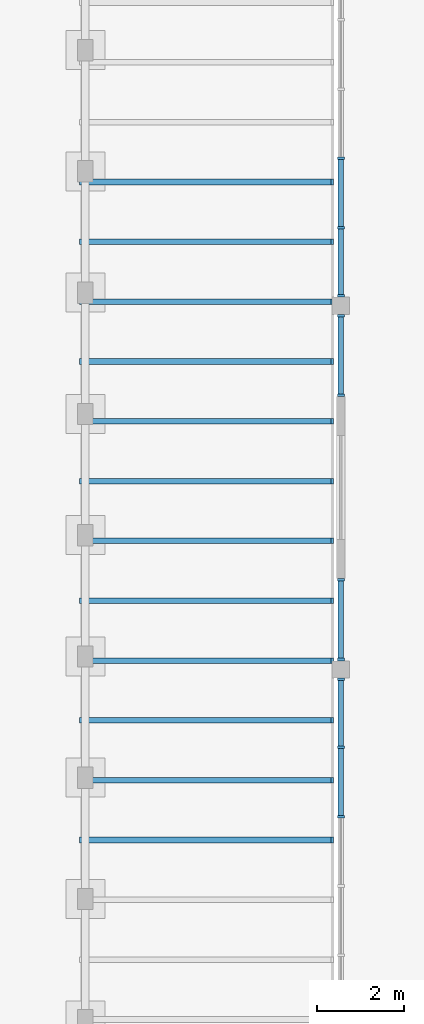
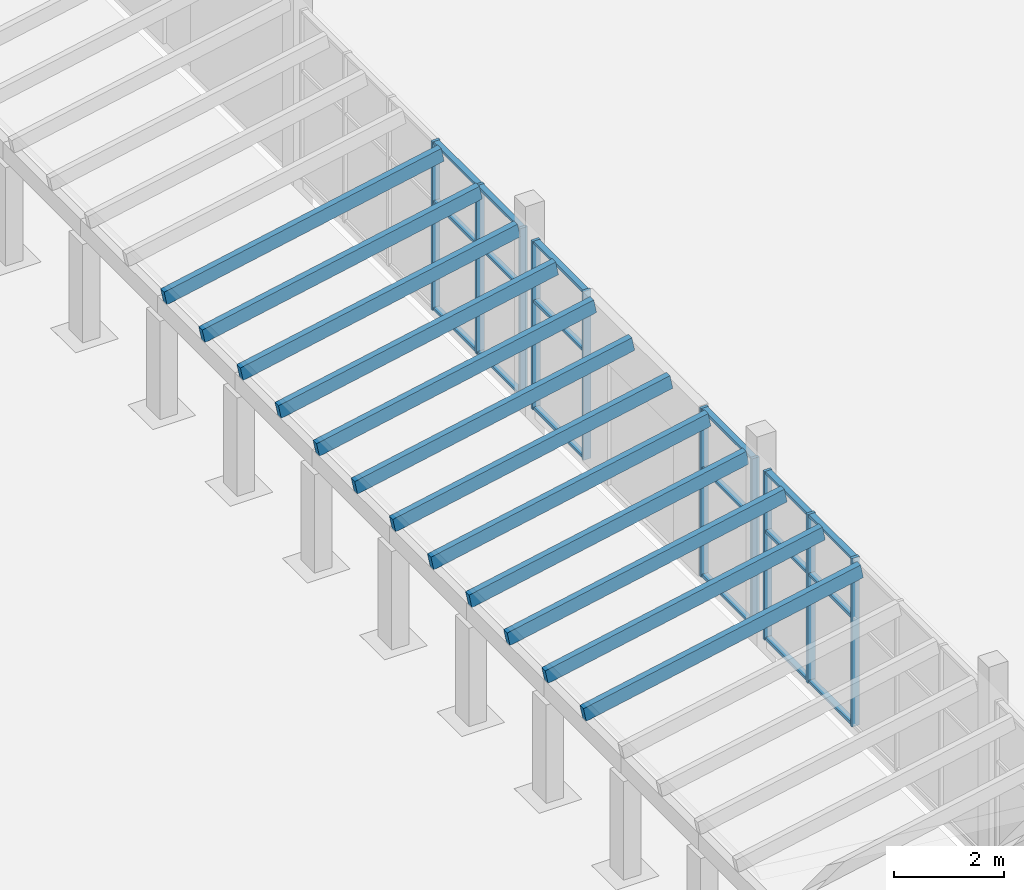
# One storey, part 16 of 60: 40 members, 4 elements without a shape of their own.
"""IFC4 building model written with IfcOpenShell, lengths in metres."""

from ifc_helpers import new_model, si_unit, direction, frame, origin, origin_2d, place, context, subcontext, project, spatial, rectangle, extrude, material, material_profile, profile_set, type_object, element, aggregate, save


model = new_model("IFC4")

# Units and contexts
model_context = context("Model", 3, precision=1e-05, world=origin(), true_north=direction((0.0, 1.0)))
body_context = subcontext(model_context, "Body", "Model", "MODEL_VIEW")
ifc_project = project(units=[si_unit("LENGTHUNIT", "METRE"), si_unit("AREAUNIT", "SQUARE_METRE"), si_unit("VOLUMEUNIT", "CUBIC_METRE"), si_unit("PLANEANGLEUNIT", "RADIAN"), si_unit("MASSUNIT", "GRAM", prefix="KILO")], contexts=[model_context])

# Site, building, storey
site_placement = place(None, origin())
site = spatial("IfcSite", under=ifc_project, at=site_placement, CompositionType="ELEMENT")
building_placement = place(site_placement, origin())
building = spatial("IfcBuilding", under=site, at=building_placement, Name="Fescue Hill Polytechnic", CompositionType="ELEMENT")
storey_placement = place(building_placement, frame((0.0, 0.0, 4.5)))
storey = spatial("IfcBuildingStorey", under=building, at=storey_placement, Name="L01", CompositionType="ELEMENT", Elevation=4.5)

# Curtain wall, members
ifc_material_1 = material(Name="Glass", Category="glass")
curtain_wall_type = type_object("IfcCurtainWallType", Name="Curtain wall structural glazing", PredefinedType="NOTDEFINED", material=ifc_material_1)
curtain_wall_1_placement = place(storey_placement, origin())
curtain_wall_1 = element("IfcCurtainWall", 1, at=curtain_wall_1_placement, inside=storey, type_object=curtain_wall_type, Name="CW-L01-V6-2", PredefinedType="NOTDEFINED")
ifc_material_2 = material(Name="Powder-coated aluminium", Category="aluminium")
ifc_material_profile_1 = material_profile(ifc_material_2, rectangle(XDim=0.159912109375, YDim=0.06005859375, at=origin_2d()), Name="Mullion aluminium 60x160")
ifc_profile_set_1 = profile_set([ifc_material_profile_1], Name="Powder-coated aluminium")
member_type_1 = type_object("IfcMemberType", Name="Mullion aluminium 60x160", PredefinedType="MULLION", material=ifc_profile_set_1)
member_1_placement = place(storey_placement, frame((92.39990234375, 87.39990234375, 0.0), z_axis=(0.0, 0.0, 1.0), x_axis=(1.0, 0.0, 0.0)))
member_1 = element("IfcMember", 2, at=member_1_placement, type_object=member_type_1, Name="CW48 mullion 4", PredefinedType="MULLION", context=body_context, shape_type="SweptSolid", body=[
    extrude(rectangle(XDim=0.159912109375, YDim=0.06005859375, at=origin_2d()), origin(), (0.0, 0.0, 1.0), 3.72998046875),
])
member_2_placement = place(storey_placement, frame((92.39990234375, 85.800048828125, 0.0), z_axis=(0.0, 0.0, 1.0), x_axis=(1.0, 0.0, 0.0)))
member_2 = element("IfcMember", 3, at=member_2_placement, type_object=member_type_1, Name="CW48 mullion 5", PredefinedType="MULLION", context=body_context, shape_type="SweptSolid", body=[
    extrude(rectangle(XDim=0.159912109375, YDim=0.06005859375, at=origin_2d()), origin(), (0.0, 0.0, 1.0), 3.72998046875),
])
member_3_placement = place(storey_placement, frame((92.39990234375, 84.22998046875, 0.0), z_axis=(0.0, 0.0, 1.0), x_axis=(1.0, 0.0, 0.0)))
member_3 = element("IfcMember", 4, at=member_3_placement, type_object=member_type_1, Name="CW48 mullion 6", PredefinedType="MULLION", context=body_context, shape_type="SweptSolid", body=[
    extrude(rectangle(XDim=0.159912109375, YDim=0.06005859375, at=origin_2d()), origin(), (0.0, 0.0, 1.0), 3.72998046875),
])

curtain_wall_2_placement = place(storey_placement, origin())
curtain_wall_2 = element("IfcCurtainWall", 5, at=curtain_wall_2_placement, inside=storey, type_object=curtain_wall_type, Name="CW-L01-V6-3", PredefinedType="NOTDEFINED")
member_4_placement = place(storey_placement, frame((92.39990234375, 83.77001953125, 0.0), z_axis=(0.0, 0.0, 1.0), x_axis=(1.0, 0.0, 0.0)))
member_4 = element("IfcMember", 6, at=member_4_placement, type_object=member_type_1, Name="CW49 mullion 1", PredefinedType="MULLION", context=body_context, shape_type="SweptSolid", body=[
    extrude(rectangle(XDim=0.159912109375, YDim=0.06005859375, at=origin_2d()), origin(), (0.0, 0.0, 1.0), 3.72998046875),
])
member_5_placement = place(storey_placement, frame((92.39990234375, 81.929931640625, 0.0), z_axis=(0.0, 0.0, 1.0), x_axis=(1.0, 0.0, 0.0)))
member_5 = element("IfcMember", 7, at=member_5_placement, type_object=member_type_1, Name="CW49 mullion 2", PredefinedType="MULLION", context=body_context, shape_type="SweptSolid", body=[
    extrude(rectangle(XDim=0.159912109375, YDim=0.06005859375, at=origin_2d()), origin(), (0.0, 0.0, 1.0), 3.72998046875),
])

curtain_wall_3_placement = place(storey_placement, origin())
curtain_wall_3 = element("IfcCurtainWall", 8, at=curtain_wall_3_placement, inside=storey, type_object=curtain_wall_type, Name="CW-L01-V6-4", PredefinedType="NOTDEFINED")
member_6_placement = place(storey_placement, frame((92.39990234375, 77.669921875, 0.0), z_axis=(0.0, 0.0, 1.0), x_axis=(1.0, 0.0, 0.0)))
member_6 = element("IfcMember", 9, at=member_6_placement, type_object=member_type_1, Name="CW50 mullion 1", PredefinedType="MULLION", context=body_context, shape_type="SweptSolid", body=[
    extrude(rectangle(XDim=0.159912109375, YDim=0.06005859375, at=origin_2d()), origin(), (0.0, 0.0, 1.0), 3.72998046875),
])
member_7_placement = place(storey_placement, frame((92.39990234375, 75.830078125, 0.0), z_axis=(0.0, 0.0, 1.0), x_axis=(1.0, 0.0, 0.0)))
member_7 = element("IfcMember", 10, at=member_7_placement, type_object=member_type_1, Name="CW50 mullion 2", PredefinedType="MULLION", context=body_context, shape_type="SweptSolid", body=[
    extrude(rectangle(XDim=0.159912109375, YDim=0.06005859375, at=origin_2d()), origin(), (0.0, 0.0, 1.0), 3.72998046875),
])

curtain_wall_4_placement = place(storey_placement, origin())
curtain_wall_4 = element("IfcCurtainWall", 11, at=curtain_wall_4_placement, inside=storey, type_object=curtain_wall_type, Name="CW-L01-V6-5", PredefinedType="NOTDEFINED")
member_8_placement = place(storey_placement, frame((92.39990234375, 75.3701171875, 0.0), z_axis=(0.0, 0.0, 1.0), x_axis=(1.0, 0.0, 0.0)))
member_8 = element("IfcMember", 12, at=member_8_placement, type_object=member_type_1, Name="CW51 mullion 1", PredefinedType="MULLION", context=body_context, shape_type="SweptSolid", body=[
    extrude(rectangle(XDim=0.159912109375, YDim=0.06005859375, at=origin_2d()), origin(), (0.0, 0.0, 1.0), 3.72998046875),
])
member_9_placement = place(storey_placement, frame((92.39990234375, 73.800048828125, 0.0), z_axis=(0.0, 0.0, 1.0), x_axis=(1.0, 0.0, 0.0)))
member_9 = element("IfcMember", 13, at=member_9_placement, type_object=member_type_1, Name="CW51 mullion 2", PredefinedType="MULLION", context=body_context, shape_type="SweptSolid", body=[
    extrude(rectangle(XDim=0.159912109375, YDim=0.06005859375, at=origin_2d()), origin(), (0.0, 0.0, 1.0), 3.72998046875),
])
member_10_placement = place(storey_placement, frame((92.39990234375, 72.199951171875, 0.0), z_axis=(0.0, 0.0, 1.0), x_axis=(1.0, 0.0, 0.0)))
member_10 = element("IfcMember", 14, at=member_10_placement, type_object=member_type_1, Name="CW51 mullion 3", PredefinedType="MULLION", context=body_context, shape_type="SweptSolid", body=[
    extrude(rectangle(XDim=0.159912109375, YDim=0.06005859375, at=origin_2d()), origin(), (0.0, 0.0, 1.0), 3.72998046875),
])

# Member
ifc_material_profile_2 = material_profile(ifc_material_2, rectangle(XDim=0.1201171875, YDim=0.06005859375, at=origin_2d()), Name="Transom aluminium 60x120")
ifc_profile_set_2 = profile_set([ifc_material_profile_2], Name="Powder-coated aluminium")
member_type_2 = type_object("IfcMemberType", Name="Transom aluminium 60x120", PredefinedType="USERDEFINED", material=ifc_profile_set_2)
member_11_placement = place(storey_placement, frame((92.39990234375, 87.3701171875, 0.030029296875), z_axis=(0.0, -1.0, 0.0), x_axis=(1.0, 0.0, 0.0)))
member_11 = element("IfcMember", 15, at=member_11_placement, type_object=member_type_2, Name="CW48 transom 4.1", ObjectType="TRANSOM", PredefinedType="USERDEFINED", context=body_context, shape_type="SweptSolid", body=[
    extrude(rectangle(XDim=0.1201171875, YDim=0.06005859375, at=origin_2d()), origin(), (0.0, 0.0, 1.0), 1.5400390625),
])

member_12_placement = place(storey_placement, frame((92.39990234375, 87.3701171875, 2.39990234375), z_axis=(0.0, -1.0, 0.0), x_axis=(1.0, 0.0, 0.0)))
member_12 = element("IfcMember", 16, at=member_12_placement, type_object=member_type_2, Name="CW48 transom 4.2", ObjectType="TRANSOM", PredefinedType="USERDEFINED", context=body_context, shape_type="SweptSolid", body=[
    extrude(rectangle(XDim=0.1201171875, YDim=0.06005859375, at=origin_2d()), origin(), (0.0, 0.0, 1.0), 1.5400390625),
])

member_13_placement = place(storey_placement, frame((92.39990234375, 87.3701171875, 3.699951171875), z_axis=(0.0, -1.0, 0.0), x_axis=(1.0, 0.0, 0.0)))
member_13 = element("IfcMember", 17, at=member_13_placement, type_object=member_type_2, Name="CW48 transom 4.3", ObjectType="TRANSOM", PredefinedType="USERDEFINED", context=body_context, shape_type="SweptSolid", body=[
    extrude(rectangle(XDim=0.1201171875, YDim=0.06005859375, at=origin_2d()), origin(), (0.0, 0.0, 1.0), 1.5400390625),
])

member_14_placement = place(storey_placement, frame((92.39990234375, 85.77001953125, 0.030029296875), z_axis=(0.0, -1.0, 0.0), x_axis=(1.0, 0.0, 0.0)))
member_14 = element("IfcMember", 18, at=member_14_placement, type_object=member_type_2, Name="CW48 transom 5.1", ObjectType="TRANSOM", PredefinedType="USERDEFINED", context=body_context, shape_type="SweptSolid", body=[
    extrude(rectangle(XDim=0.1201171875, YDim=0.06005859375, at=origin_2d()), origin(), (0.0, 0.0, 1.0), 1.510009765625),
])

member_15_placement = place(storey_placement, frame((92.39990234375, 85.77001953125, 2.39990234375), z_axis=(0.0, -1.0, 0.0), x_axis=(1.0, 0.0, 0.0)))
member_15 = element("IfcMember", 19, at=member_15_placement, type_object=member_type_2, Name="CW48 transom 5.2", ObjectType="TRANSOM", PredefinedType="USERDEFINED", context=body_context, shape_type="SweptSolid", body=[
    extrude(rectangle(XDim=0.1201171875, YDim=0.06005859375, at=origin_2d()), origin(), (0.0, 0.0, 1.0), 1.510009765625),
])

member_16_placement = place(storey_placement, frame((92.39990234375, 85.77001953125, 3.699951171875), z_axis=(0.0, -1.0, 0.0), x_axis=(1.0, 0.0, 0.0)))
member_16 = element("IfcMember", 20, at=member_16_placement, type_object=member_type_2, Name="CW48 transom 5.3", ObjectType="TRANSOM", PredefinedType="USERDEFINED", context=body_context, shape_type="SweptSolid", body=[
    extrude(rectangle(XDim=0.1201171875, YDim=0.06005859375, at=origin_2d()), origin(), (0.0, 0.0, 1.0), 1.510009765625),
])

aggregate(curtain_wall_1, [member_1, member_2, member_3, member_11, member_12, member_13, member_14, member_15, member_16])

member_17_placement = place(storey_placement, frame((92.39990234375, 83.739990234375, 0.030029296875), z_axis=(0.0, -1.0, 0.0), x_axis=(1.0, 0.0, 0.0)))
member_17 = element("IfcMember", 21, at=member_17_placement, type_object=member_type_2, Name="CW49 transom 1.1", ObjectType="TRANSOM", PredefinedType="USERDEFINED", context=body_context, shape_type="SweptSolid", body=[
    extrude(rectangle(XDim=0.1201171875, YDim=0.06005859375, at=origin_2d()), origin(), (0.0, 0.0, 1.0), 1.780029296875),
])

member_18_placement = place(storey_placement, frame((92.39990234375, 83.739990234375, 2.39990234375), z_axis=(0.0, -1.0, 0.0), x_axis=(1.0, 0.0, 0.0)))
member_18 = element("IfcMember", 22, at=member_18_placement, type_object=member_type_2, Name="CW49 transom 1.2", ObjectType="TRANSOM", PredefinedType="USERDEFINED", context=body_context, shape_type="SweptSolid", body=[
    extrude(rectangle(XDim=0.1201171875, YDim=0.06005859375, at=origin_2d()), origin(), (0.0, 0.0, 1.0), 1.780029296875),
])

member_19_placement = place(storey_placement, frame((92.39990234375, 83.739990234375, 3.699951171875), z_axis=(0.0, -1.0, 0.0), x_axis=(1.0, 0.0, 0.0)))
member_19 = element("IfcMember", 23, at=member_19_placement, type_object=member_type_2, Name="CW49 transom 1.3", ObjectType="TRANSOM", PredefinedType="USERDEFINED", context=body_context, shape_type="SweptSolid", body=[
    extrude(rectangle(XDim=0.1201171875, YDim=0.06005859375, at=origin_2d()), origin(), (0.0, 0.0, 1.0), 1.780029296875),
])

aggregate(curtain_wall_2, [member_4, member_5, member_17, member_18, member_19])

member_20_placement = place(storey_placement, frame((92.39990234375, 77.639892578125, 0.030029296875), z_axis=(0.0, -1.0, 0.0), x_axis=(1.0, 0.0, 0.0)))
member_20 = element("IfcMember", 24, at=member_20_placement, type_object=member_type_2, Name="CW50 transom 1.1", ObjectType="TRANSOM", PredefinedType="USERDEFINED", context=body_context, shape_type="SweptSolid", body=[
    extrude(rectangle(XDim=0.1201171875, YDim=0.06005859375, at=origin_2d()), origin(), (0.0, 0.0, 1.0), 1.77978515625),
])

member_21_placement = place(storey_placement, frame((92.39990234375, 77.639892578125, 2.39990234375), z_axis=(0.0, -1.0, 0.0), x_axis=(1.0, 0.0, 0.0)))
member_21 = element("IfcMember", 25, at=member_21_placement, type_object=member_type_2, Name="CW50 transom 1.2", ObjectType="TRANSOM", PredefinedType="USERDEFINED", context=body_context, shape_type="SweptSolid", body=[
    extrude(rectangle(XDim=0.1201171875, YDim=0.06005859375, at=origin_2d()), origin(), (0.0, 0.0, 1.0), 1.77978515625),
])

member_22_placement = place(storey_placement, frame((92.39990234375, 77.639892578125, 3.699951171875), z_axis=(0.0, -1.0, 0.0), x_axis=(1.0, 0.0, 0.0)))
member_22 = element("IfcMember", 26, at=member_22_placement, type_object=member_type_2, Name="CW50 transom 1.3", ObjectType="TRANSOM", PredefinedType="USERDEFINED", context=body_context, shape_type="SweptSolid", body=[
    extrude(rectangle(XDim=0.1201171875, YDim=0.06005859375, at=origin_2d()), origin(), (0.0, 0.0, 1.0), 1.77978515625),
])

aggregate(curtain_wall_3, [member_6, member_7, member_20, member_21, member_22])

member_23_placement = place(storey_placement, frame((92.39990234375, 75.340087890625, 0.030029296875), z_axis=(0.0, -1.0, 0.0), x_axis=(1.0, 0.0, 0.0)))
member_23 = element("IfcMember", 27, at=member_23_placement, type_object=member_type_2, Name="CW51 transom 1.1", ObjectType="TRANSOM", PredefinedType="USERDEFINED", context=body_context, shape_type="SweptSolid", body=[
    extrude(rectangle(XDim=0.1201171875, YDim=0.06005859375, at=origin_2d()), origin(), (0.0, 0.0, 1.0), 1.510009765625),
])

member_24_placement = place(storey_placement, frame((92.39990234375, 75.340087890625, 2.39990234375), z_axis=(0.0, -1.0, 0.0), x_axis=(1.0, 0.0, 0.0)))
member_24 = element("IfcMember", 28, at=member_24_placement, type_object=member_type_2, Name="CW51 transom 1.2", ObjectType="TRANSOM", PredefinedType="USERDEFINED", context=body_context, shape_type="SweptSolid", body=[
    extrude(rectangle(XDim=0.1201171875, YDim=0.06005859375, at=origin_2d()), origin(), (0.0, 0.0, 1.0), 1.510009765625),
])

member_25_placement = place(storey_placement, frame((92.39990234375, 75.340087890625, 3.699951171875), z_axis=(0.0, -1.0, 0.0), x_axis=(1.0, 0.0, 0.0)))
member_25 = element("IfcMember", 29, at=member_25_placement, type_object=member_type_2, Name="CW51 transom 1.3", ObjectType="TRANSOM", PredefinedType="USERDEFINED", context=body_context, shape_type="SweptSolid", body=[
    extrude(rectangle(XDim=0.1201171875, YDim=0.06005859375, at=origin_2d()), origin(), (0.0, 0.0, 1.0), 1.510009765625),
])

member_26_placement = place(storey_placement, frame((92.39990234375, 73.77001953125, 0.030029296875), z_axis=(0.0, -1.0, 0.0), x_axis=(1.0, 0.0, 0.0)))
member_26 = element("IfcMember", 30, at=member_26_placement, type_object=member_type_2, Name="CW51 transom 2.1", ObjectType="TRANSOM", PredefinedType="USERDEFINED", context=body_context, shape_type="SweptSolid", body=[
    extrude(rectangle(XDim=0.1201171875, YDim=0.06005859375, at=origin_2d()), origin(), (0.0, 0.0, 1.0), 1.5400390625),
])

member_27_placement = place(storey_placement, frame((92.39990234375, 73.77001953125, 2.39990234375), z_axis=(0.0, -1.0, 0.0), x_axis=(1.0, 0.0, 0.0)))
member_27 = element("IfcMember", 31, at=member_27_placement, type_object=member_type_2, Name="CW51 transom 2.2", ObjectType="TRANSOM", PredefinedType="USERDEFINED", context=body_context, shape_type="SweptSolid", body=[
    extrude(rectangle(XDim=0.1201171875, YDim=0.06005859375, at=origin_2d()), origin(), (0.0, 0.0, 1.0), 1.5400390625),
])

member_28_placement = place(storey_placement, frame((92.39990234375, 73.77001953125, 3.699951171875), z_axis=(0.0, -1.0, 0.0), x_axis=(1.0, 0.0, 0.0)))
member_28 = element("IfcMember", 32, at=member_28_placement, type_object=member_type_2, Name="CW51 transom 2.3", ObjectType="TRANSOM", PredefinedType="USERDEFINED", context=body_context, shape_type="SweptSolid", body=[
    extrude(rectangle(XDim=0.1201171875, YDim=0.06005859375, at=origin_2d()), origin(), (0.0, 0.0, 1.0), 1.5400390625),
])

aggregate(curtain_wall_4, [member_8, member_9, member_10, member_23, member_24, member_25, member_26, member_27, member_28])

# Members
ifc_material_3 = material(Name="Glulam 24f-EX", Category="wood")
ifc_material_profile_3 = material_profile(ifc_material_3, rectangle(XDim=0.1298828125, YDim=0.303955078125, at=origin_2d()), Name="Veranda rafter 130x304")
ifc_profile_set_3 = profile_set([ifc_material_profile_3], Name="Glulam 24f-EX")
member_type_3 = type_object("IfcMemberType", Name="Veranda rafter 130x304", PredefinedType="RAFTER", material=ifc_profile_set_3)
for number, where, z_axis, x_axis, name in (
    (33, (92.199951171875, 71.660888671875, 3.841064453125), (-0.980908023903, 0.0, -0.19447223103), (0.0, -1.0, 0.0), "Winter garden veranda rafter"),
    (34, (92.199951171875, 73.04248046875, 3.841064453125), (-0.980908023903, 0.0, -0.19447223103), (0.0, -1.0, 0.0), "Winter garden veranda rafter"),
    (35, (92.199951171875, 74.423828125, 3.841064453125), (-0.980908023903, 0.0, -0.19447223103), (0.0, -1.0, 0.0), "Winter garden veranda rafter"),
    (36, (92.199951171875, 75.80517578125, 3.841064453125), (-0.980908023903, 0.0, -0.19447223103), (0.0, -1.0, 0.0), "Winter garden veranda rafter"),
    (37, (92.199951171875, 77.186767578125, 3.841064453125), (-0.980908023903, 0.0, -0.19447223103), (0.0, -1.0, 0.0), "Winter garden veranda rafter"),
    (38, (92.199951171875, 78.568115234375, 3.841064453125), (-0.980908023903, 0.0, -0.19447223103), (0.0, -1.0, 0.0), "Winter garden veranda rafter"),
    (39, (92.199951171875, 79.94970703125, 3.841064453125), (-0.980908023903, 0.0, -0.19447223103), (0.0, -1.0, 0.0), "Winter garden veranda rafter"),
    (40, (92.199951171875, 81.3310546875, 3.841064453125), (-0.980908023903, 0.0, -0.19447223103), (0.0, -1.0, 0.0), "Winter garden veranda rafter"),
    (41, (92.199951171875, 82.71240234375, 3.841064453125), (-0.980908023903, 0.0, -0.19447223103), (0.0, -1.0, 0.0), "Winter garden veranda rafter"),
    (42, (92.199951171875, 84.093994140625, 3.841064453125), (-0.980908023903, 0.0, -0.19447223103), (0.0, -1.0, 0.0), "Winter garden veranda rafter"),
    (43, (92.199951171875, 85.475341796875, 3.841064453125), (-0.980908023903, 0.0, -0.19447223103), (0.0, -1.0, 0.0), "Winter garden veranda rafter"),
    (44, (92.199951171875, 86.85693359375, 3.841064453125), (-0.980908023903, 0.0, -0.19447223103), (0.0, -1.0, 0.0), "Winter garden veranda rafter"),
):
    element("IfcMember", number, at=place(storey_placement, frame(where, z_axis=z_axis, x_axis=x_axis)), inside=storey, type_object=member_type_3, Name=name, PredefinedType="RAFTER", context=body_context, shape_type="SweptSolid", body=[
        extrude(rectangle(XDim=0.1298828125, YDim=0.303955078125, at=origin_2d()), origin(), (0.0, 0.0, 1.0), 5.912841796875),
    ])

save(model, "model.ifc")
